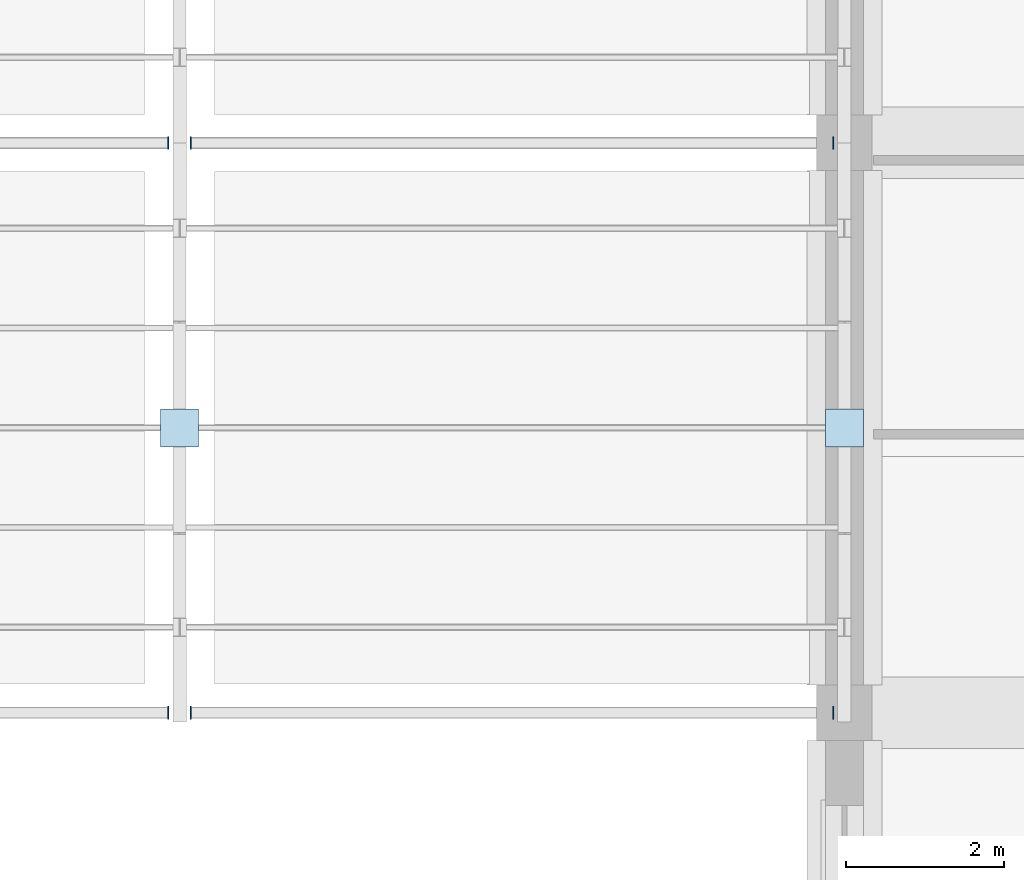
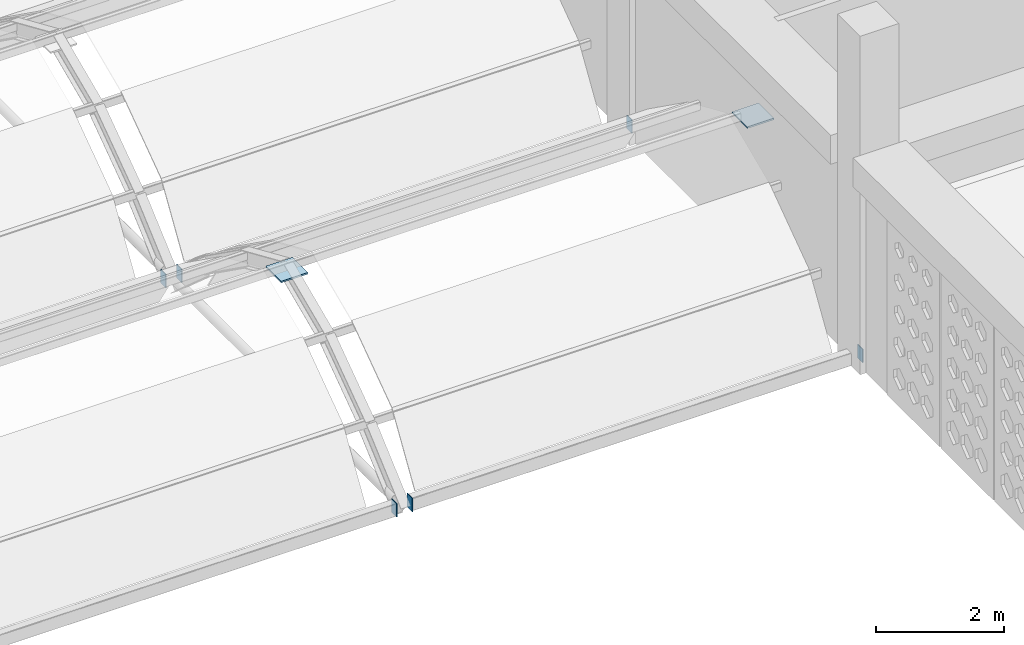
# One storey, part 49 of 100: 8 plates.
"""IFC4 building model written with IfcOpenShell, lengths in metres."""

from ifc_helpers import new_model, si_unit, derived_unit, direction, frame, origin, origin_2d, place, context, subcontext, project, spatial, rectangle, extrude, material, layer, layer_set, type_object, element, save


model = new_model("IFC4")

# Units and contexts
model_context = context("Model", 3, precision=1e-05, world=origin(), true_north=direction((0.0, 1.0)))
body_context = subcontext(model_context, "Body", "Model", "MODEL_VIEW")
ifc_project = project(units=[si_unit("LENGTHUNIT", "METRE"), si_unit("AREAUNIT", "SQUARE_METRE"), si_unit("VOLUMEUNIT", "CUBIC_METRE"), si_unit("PLANEANGLEUNIT", "RADIAN"), si_unit("MASSUNIT", "GRAM", prefix="KILO"), derived_unit("THERMALTRANSMITTANCEUNIT", [(si_unit("POWERUNIT", "WATT"), 1), (si_unit("LENGTHUNIT", "METRE"), -2), (si_unit("THERMODYNAMICTEMPERATUREUNIT", "KELVIN"), -1)])], contexts=[model_context])

# Site, building, storey
site_placement = place(None, origin())
site = spatial("IfcSite", under=ifc_project, at=site_placement, CompositionType="ELEMENT")
building_placement = place(site_placement, origin())
building = spatial("IfcBuilding", under=site, at=building_placement, Name="Veybourne Emporium", CompositionType="ELEMENT")
storey_placement = place(building_placement, frame((0.0, 0.0, 14.39990234375)))
storey = spatial("IfcBuildingStorey", under=building, at=storey_placement, Name="L03", CompositionType="ELEMENT", Elevation=14.39990234375)

# Plates
ifc_material = material(Name="Steel S355", Category="steel")
ifc_layer_1 = layer(ifc_material, 0.030029296875)
ifc_layer_set_1 = layer_set([ifc_layer_1], Name="Steel S355")
plate_type_1 = type_object("IfcPlateType", Name="NodePlate_BP-02", PredefinedType="USERDEFINED", material=ifc_layer_set_1)
for number, where, z_axis, x_axis, name in (
    (1, (84.0, 10.800048828125, 2.4052734375), (0.0, 0.0, 1.0), (1.0, 0.0, 0.0), "Arcade arch ridge plate VA-04"),
    (2, (92.39990234375, 10.800048828125, 2.4052734375), (0.0, 0.0, 1.0), (1.0, 0.0, 0.0), "Arcade arch ridge plate VA-05"),
):
    element("IfcPlate", number, at=place(storey_placement, frame(where, z_axis=z_axis, x_axis=x_axis)), inside=storey, type_object=plate_type_1, Name=name, ObjectType="BASE_PLATE", PredefinedType="USERDEFINED", context=body_context, shape_type="SweptSolid", body=[
        extrude(rectangle(XDim=0.47998046875, YDim=0.47998046875, at=origin_2d()), origin(), (0.0, 0.0, 1.0), 0.030029296875),
    ])
ifc_layer_2 = layer(ifc_material, 0.01611328125)
ifc_layer_set_2 = layer_set([ifc_layer_2], Name="Steel S355")
plate_type_2 = type_object("IfcPlateType", Name="NodePlate_CP-01", PredefinedType="USERDEFINED", material=ifc_layer_set_2)
for number, where, z_axis, x_axis, name in (
    (3, (83.85791015625, 7.199951171875, -0.0048828125), (0.0, 0.0, 1.0), (1.0, 0.0, 0.0), "Welded hollow-section end cap plate CP-01 (VSPR-B3-Y7-E)"),
    (4, (83.85791015625, 14.39990234375, -0.0048828125), (0.0, 0.0, 1.0), (1.0, 0.0, 0.0), "Welded hollow-section end cap plate CP-01 (VSPR-B3-Y14-E)"),
    (5, (84.14208984375, 7.199951171875, -0.0048828125), (0.0, 0.0, 1.0), (1.0, 0.0, 0.0), "Welded hollow-section end cap plate CP-01 (VSPR-B4-Y7-W)"),
    (6, (92.258056640625, 7.199951171875, -0.0048828125), (0.0, 0.0, 1.0), (1.0, 0.0, 0.0), "Welded hollow-section end cap plate CP-01 (VSPR-B4-Y7-E)"),
    (7, (84.14208984375, 14.39990234375, -0.0048828125), (0.0, 0.0, 1.0), (1.0, 0.0, 0.0), "Welded hollow-section end cap plate CP-01 (VSPR-B4-Y14-W)"),
    (8, (92.258056640625, 14.39990234375, -0.0048828125), (0.0, 0.0, 1.0), (1.0, 0.0, 0.0), "Welded hollow-section end cap plate CP-01 (VSPR-B4-Y14-E)"),
):
    element("IfcPlate", number, at=place(storey_placement, frame(where, z_axis=z_axis, x_axis=x_axis)), inside=storey, type_object=plate_type_2, Name=name, ObjectType="CAP_PLATE", PredefinedType="USERDEFINED", context=body_context, shape_type="SweptSolid", body=[
        extrude(rectangle(XDim=0.01611328125, YDim=0.159912109375, at=origin_2d()), origin(), (0.0, 0.0, 1.0), 0.260009765625),
    ])

save(model, "model.ifc")
